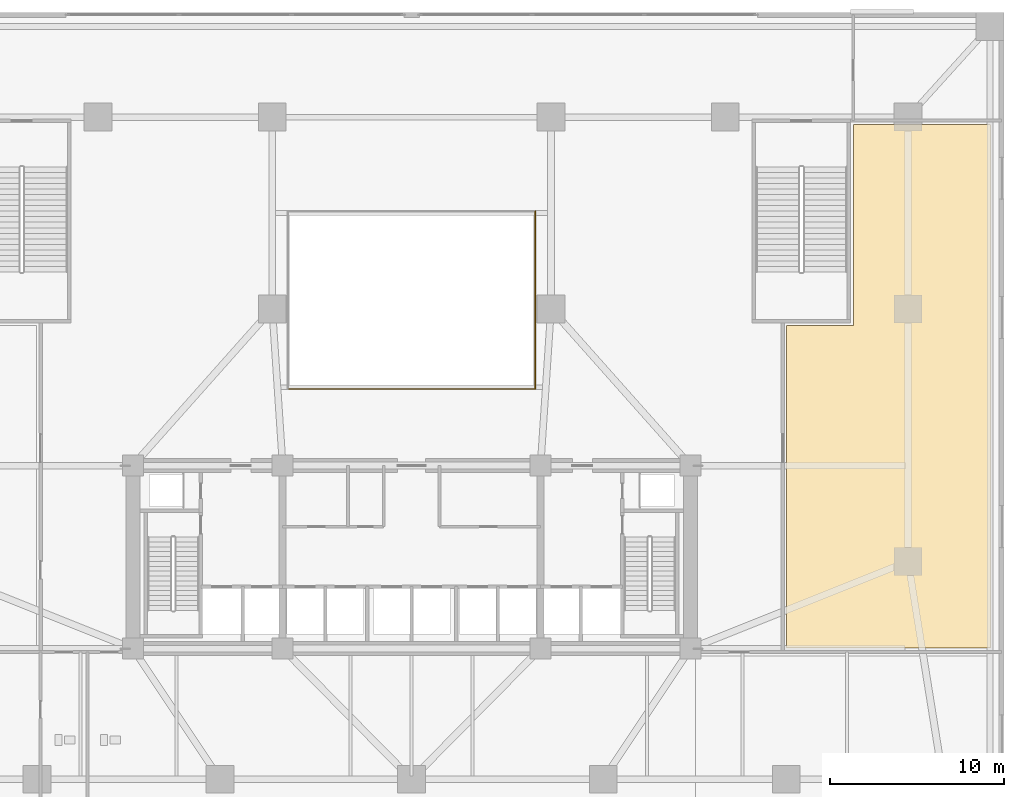
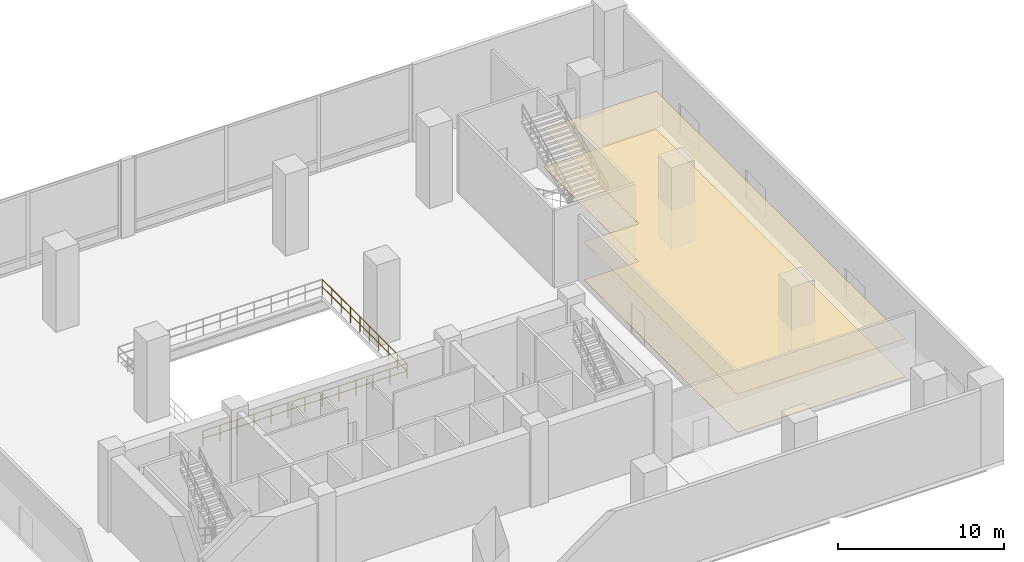
# One storey, part 12 of 16: 2 coverings, 2 railings.
"""IFC4 building model written with IfcOpenShell, lengths in metres."""

from ifc_helpers import new_model, si_unit, direction, frame, origin, origin_2d, place, context, subcontext, project, spatial, polyline, circle, outline, extrude, material, layer, layer_set, type_object, element, save


model = new_model("IFC4")

# Units and contexts
model_context = context("Model", 3, precision=1e-05, world=origin(), true_north=direction((0.0, 1.0)))
body_context = subcontext(model_context, "Body", "Model", "MODEL_VIEW")
ifc_project = project(units=[si_unit("LENGTHUNIT", "METRE"), si_unit("AREAUNIT", "SQUARE_METRE"), si_unit("VOLUMEUNIT", "CUBIC_METRE"), si_unit("PLANEANGLEUNIT", "RADIAN"), si_unit("MASSUNIT", "GRAM", prefix="KILO")], contexts=[model_context])

# Site, building, storey
site_placement = place(None, origin())
site = spatial("IfcSite", under=ifc_project, at=site_placement, CompositionType="ELEMENT")
building_placement = place(site_placement, origin())
building = spatial("IfcBuilding", under=site, at=building_placement, Name="Solmavex Isthmus Hotel", CompositionType="ELEMENT")
storey_placement = place(building_placement, frame((0.0, 0.0, 5.39990234375)))
storey = spatial("IfcBuildingStorey", under=building, at=storey_placement, Name="L02", CompositionType="ELEMENT", Elevation=5.39990234375)

# Coverings
ifc_material_1 = material(Name="Gypsum plasterboard lining", Category="gypsum")
ifc_layer_1 = layer(ifc_material_1, 0.030029296875)
ifc_layer_set_1 = layer_set([ifc_layer_1], Name="Gypsum plasterboard lining")
covering_type_1 = type_object("IfcCoveringType", Name="COV-CEIL-GYP", PredefinedType="CEILING", material=ifc_layer_set_1)
covering_1_placement = place(storey_placement, frame((0.0, 0.0, 2.800048828125)))
element("IfcCovering", 1, at=covering_1_placement, inside=storey, type_object=covering_type_1, Name="Suspended Acoustic Ceiling L02-KIT", PredefinedType="CEILING", context=body_context, shape_type="SweptSolid", body=[
    extrude(outline(polyline([(25.35009765625, 17.070068359375), (25.35009765625, 5.550048828125), (21.530029296875, 5.550048828125), (21.530029296875, -12.969970703125), (33.219970703125, -12.969970703125), (33.219970703125, 17.070068359375), (25.35009765625, 17.070068359375)])), origin(), (0.0, 0.0, 1.0), 0.030029296875),
])
ifc_material_2 = material(Name="Travertine natural stone", Category="masonry")
ifc_layer_2 = layer(ifc_material_2, 0.02490234375)
ifc_layer_set_2 = layer_set([ifc_layer_2], Name="Travertine natural stone")
covering_type_2 = type_object("IfcCoveringType", Name="COV-FLOR-STN", PredefinedType="FLOORING", material=ifc_layer_set_2)
covering_2_placement = place(storey_placement, origin())
element("IfcCovering", 2, at=covering_2_placement, inside=storey, type_object=covering_type_2, Name="Stone and Timber Floor Finish L02-KIT", PredefinedType="FLOORING", context=body_context, shape_type="SweptSolid", body=[
    extrude(outline(polyline([(25.35009765625, 17.070068359375), (25.35009765625, 5.550048828125), (21.530029296875, 5.550048828125), (21.530029296875, -12.969970703125), (33.219970703125, -12.969970703125), (33.219970703125, 17.070068359375), (25.35009765625, 17.070068359375)])), origin(), (0.0, 0.0, 1.0), 0.025146484375),
])

# Railings
ifc_material_3 = material(Name="Clear low-E laminated glass", Category="glass")
ifc_layer_3 = layer(ifc_material_3, 0.080078125)
ifc_layer_set_3 = layer_set([ifc_layer_3], Name="Clear low-E laminated glass")
railing_type = type_object("IfcRailingType", Name="RAIL-ATRIUM-1120", PredefinedType="BALUSTRADE", material=ifc_layer_set_3)
railing_1_placement = place(storey_placement, frame((-7.10009765625, 1.89990234375, 0.0)))
element("IfcRailing", 3, at=railing_1_placement, inside=storey, type_object=railing_type, Name="Guardrail Balustrade L02-ATRIUM-01", PredefinedType="BALUSTRADE", context=body_context, shape_type="SweptSolid", body=[
    extrude(circle(Radius=0.02392578125, at=origin_2d()), frame((0.0, 0.0, 1.1259765625), z_axis=(1.0, 0.0, 0.0), x_axis=(0.0, 1.0, 0.0)), (0.0, 0.0, 1.0), 14.2001953125),
    extrude(circle(Radius=0.02392578125, at=origin_2d()), frame((0.0, 0.0, 0.574951171875), z_axis=(1.0, 0.0, 0.0), x_axis=(0.0, 1.0, 0.0)), (0.0, 0.0, 1.0), 14.2001953125),
    extrude(circle(Radius=0.02099609375, at=origin_2d()), origin(), (0.0, 0.0, 1.0), 1.101806640625),
    extrude(circle(Radius=0.02099609375, at=origin_2d()), frame((1.183349609375, 0.0, 0.0)), (0.0, 0.0, 1.0), 1.101806640625),
    extrude(circle(Radius=0.02099609375, at=origin_2d()), frame((2.36669921875, 0.0, 0.0)), (0.0, 0.0, 1.0), 1.101806640625),
    extrude(circle(Radius=0.02099609375, at=origin_2d()), frame((3.550048828125, 0.0, 0.0)), (0.0, 0.0, 1.0), 1.101806640625),
    extrude(circle(Radius=0.02099609375, at=origin_2d()), frame((4.7333984375, 0.0, 0.0)), (0.0, 0.0, 1.0), 1.101806640625),
    extrude(circle(Radius=0.02099609375, at=origin_2d()), frame((5.916748046875, 0.0, 0.0)), (0.0, 0.0, 1.0), 1.101806640625),
    extrude(circle(Radius=0.02099609375, at=origin_2d()), frame((7.10009765625, 0.0, 0.0)), (0.0, 0.0, 1.0), 1.101806640625),
    extrude(circle(Radius=0.02099609375, at=origin_2d()), frame((8.283447265625, 0.0, 0.0)), (0.0, 0.0, 1.0), 1.101806640625),
    extrude(circle(Radius=0.02099609375, at=origin_2d()), frame((9.466796875, 0.0, 0.0)), (0.0, 0.0, 1.0), 1.101806640625),
    extrude(circle(Radius=0.02099609375, at=origin_2d()), frame((10.650146484375, 0.0, 0.0)), (0.0, 0.0, 1.0), 1.101806640625),
    extrude(circle(Radius=0.02099609375, at=origin_2d()), frame((11.83349609375, 0.0, 0.0)), (0.0, 0.0, 1.0), 1.101806640625),
    extrude(circle(Radius=0.02099609375, at=origin_2d()), frame((13.016845703125, 0.0, 0.0)), (0.0, 0.0, 1.0), 1.101806640625),
    extrude(circle(Radius=0.02099609375, at=origin_2d()), frame((14.2001953125, 0.0, 0.0)), (0.0, 0.0, 1.0), 1.101806640625),
])
railing_2_placement = place(storey_placement, frame((7.10009765625, 1.89990234375, 0.0)))
element("IfcRailing", 4, at=railing_2_placement, inside=storey, type_object=railing_type, Name="Guardrail Balustrade L02-ATRIUM-02", PredefinedType="BALUSTRADE", context=body_context, shape_type="SweptSolid", body=[
    extrude(circle(Radius=0.02392578125, at=origin_2d()), frame((0.0, 0.0, 1.1259765625), z_axis=(0.0, 1.0, 0.0), x_axis=(-1.0, 0.0, 0.0)), (0.0, 0.0, 1.0), 10.2001953125),
    extrude(circle(Radius=0.02392578125, at=origin_2d()), frame((0.0, 0.0, 0.574951171875), z_axis=(0.0, 1.0, 0.0), x_axis=(-1.0, 0.0, 0.0)), (0.0, 0.0, 1.0), 10.2001953125),
    extrude(circle(Radius=0.02099609375, at=origin_2d()), origin(), (0.0, 0.0, 1.0), 1.101806640625),
    extrude(circle(Radius=0.02099609375, at=origin_2d()), frame((0.0, 1.13330078125, 0.0)), (0.0, 0.0, 1.0), 1.101806640625),
    extrude(circle(Radius=0.02099609375, at=origin_2d()), frame((0.0, 2.2666015625, 0.0)), (0.0, 0.0, 1.0), 1.101806640625),
    extrude(circle(Radius=0.02099609375, at=origin_2d()), frame((0.0, 3.400146484375, 0.0)), (0.0, 0.0, 1.0), 1.101806640625),
    extrude(circle(Radius=0.02099609375, at=origin_2d()), frame((0.0, 4.533447265625, 0.0)), (0.0, 0.0, 1.0), 1.101806640625),
    extrude(circle(Radius=0.02099609375, at=origin_2d()), frame((0.0, 5.666748046875, 0.0)), (0.0, 0.0, 1.0), 1.101806640625),
    extrude(circle(Radius=0.02099609375, at=origin_2d()), frame((0.0, 6.800048828125, 0.0)), (0.0, 0.0, 1.0), 1.101806640625),
    extrude(circle(Radius=0.02099609375, at=origin_2d()), frame((0.0, 7.93359375, 0.0)), (0.0, 0.0, 1.0), 1.101806640625),
    extrude(circle(Radius=0.02099609375, at=origin_2d()), frame((0.0, 9.06689453125, 0.0)), (0.0, 0.0, 1.0), 1.101806640625),
    extrude(circle(Radius=0.02099609375, at=origin_2d()), frame((0.0, 10.2001953125, 0.0)), (0.0, 0.0, 1.0), 1.101806640625),
])

save(model, "model.ifc")
